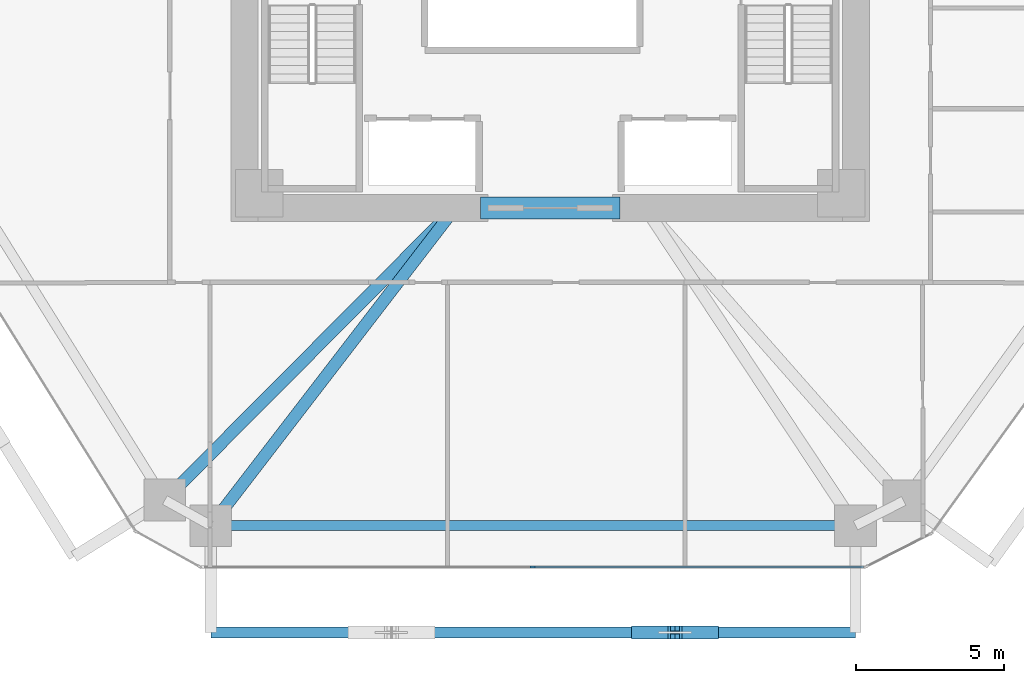
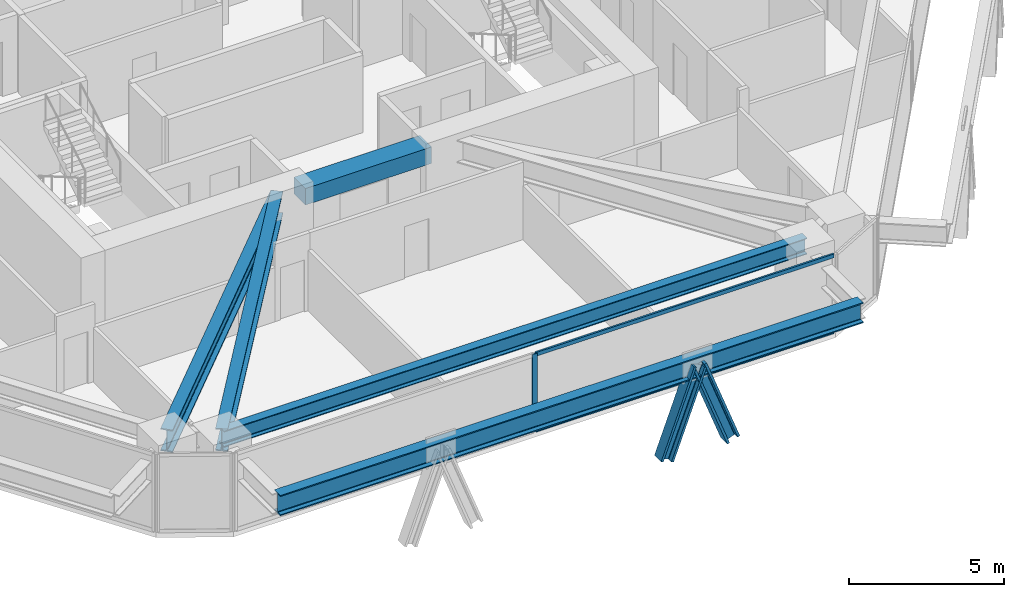
# One storey, part 3 of 17: 5 beams, 5 members, 1 element without a shape of its own.
"""IFC4 building model written with IfcOpenShell, lengths in metres."""

from ifc_helpers import new_model, si_unit, direction, frame, origin, origin_2d, place, context, subcontext, project, spatial, rectangle, i_section, extrude, source, transform, mapped, material, layer, layer_set, material_profile, profile_set, type_object, type_shapes, element, aggregate, save


model = new_model("IFC4")

# Units and contexts
model_context = context("Model", 3, precision=1e-05, world=origin(), true_north=direction((0.0, 1.0)))
body_context = subcontext(model_context, "Body", "Model", "MODEL_VIEW")
ifc_project = project(units=[si_unit("LENGTHUNIT", "METRE"), si_unit("AREAUNIT", "SQUARE_METRE"), si_unit("VOLUMEUNIT", "CUBIC_METRE"), si_unit("PLANEANGLEUNIT", "RADIAN"), si_unit("MASSUNIT", "GRAM", prefix="KILO")], contexts=[model_context])

# Site, building, storey
site_placement = place(None, origin())
site = spatial("IfcSite", under=ifc_project, at=site_placement, CompositionType="ELEMENT")
building_placement = place(site_placement, origin())
building = spatial("IfcBuilding", under=site, at=building_placement, Name="Durnholm Broadcast Tower", CompositionType="ELEMENT")
storey_placement = place(building_placement, frame((0.0, 0.0, 58.800048828125)))
storey = spatial("IfcBuildingStorey", under=building, at=storey_placement, Name="L14", CompositionType="ELEMENT", Elevation=58.800048828125)

# Beams
ifc_material_1 = material(Name="Concrete C70/85", Category="concrete")
ifc_material_profile_1 = material_profile(ifc_material_1, rectangle(XDim=0.75, YDim=0.64990234375, at=origin_2d()), Name="RC750X650")
ifc_profile_set_1 = profile_set([ifc_material_profile_1], Name="Concrete C70/85")
beam_type_1 = type_object("IfcBeamType", Name="BM-CB-RC650", PredefinedType="LINTEL", material=ifc_profile_set_1)
shared_shape_1 = source(origin(), body_context, "Body", "SweptSolid", [
    extrude(rectangle(XDim=0.75, YDim=0.64990234375, at=origin_2d()), origin(), (0.0, 0.0, 1.0), 4.7001953125),
])
type_shapes(beam_type_1, [shared_shape_1])
beam_1_placement = place(storey_placement, frame((-2.35009765625, -8.300048828125, 2.72998046875), z_axis=(1.0, 0.0, 0.0), x_axis=(0.0, 1.0, 0.0)))
element("IfcBeam", 1, at=beam_1_placement, inside=storey, type_object=beam_type_1, Name="L14 south core coupling lintel beam CB-S", PredefinedType="LINTEL", context=body_context, shape_type="MappedRepresentation", body=[
    mapped(shared_shape_1, transform((0.0, 0.0, 0.0), x_axis=(1.0, 0.0, 0.0), y_axis=(0.0, 1.0, 0.0), z_axis=(0.0, 0.0, 1.0), scale=1.0)),
])
ifc_material_2 = material(Name="Steel ASTM A992 Grade 50", Category="steel")
ifc_material_profile_2 = material_profile(ifc_material_2, i_section(OverallWidth=0.3291015625, OverallDepth=0.635009765625, WebThickness=0.017822265625, FlangeThickness=0.031005859375, FilletRadius=0.02783203125, at=origin_2d()), Name="W24X162")
ifc_profile_set_2 = profile_set([ifc_material_profile_2], Name="Steel ASTM A992 Grade 50")
beam_type_2 = type_object("IfcBeamType", Name="STL-SP-W24X162", PredefinedType="SPANDREL", material=ifc_profile_set_2)
shared_shape_2 = source(origin(), body_context, "Body", "SweptSolid", [
    extrude(i_section(OverallWidth=0.3291015625, OverallDepth=0.635009765625, WebThickness=0.017822265625, FlangeThickness=0.031005859375, FilletRadius=0.02783203125, at=origin_2d()), origin(), (0.0, 0.0, 1.0), 21.7138671875),
])
type_shapes(beam_type_2, [shared_shape_2])
beam_2_placement = place(storey_placement, frame((10.28271484375, -19.0, 2.7275390625), z_axis=(-1.0, 0.0, 0.0), x_axis=(0.0, -1.0, 0.0)))
element("IfcBeam", 2, at=beam_2_placement, inside=storey, type_object=beam_type_2, Name="L14 perimeter spandrel girder 11", PredefinedType="SPANDREL", context=body_context, shape_type="MappedRepresentation", body=[
    mapped(shared_shape_2, transform((0.0, 0.0, 0.0), x_axis=(1.0, 0.0, 0.0), y_axis=(0.0, 1.0, 0.0), z_axis=(0.0, 0.0, 1.0), scale=1.0)),
])
ifc_material_profile_3 = material_profile(ifc_material_2, i_section(OverallWidth=0.404052734375, OverallDepth=0.885009765625, WebThickness=0.0244140625, FlangeThickness=0.0439453125, FilletRadius=0.03564453125, at=origin_2d()), Name="W33X291")
ifc_profile_set_3 = profile_set([ifc_material_profile_3], Name="Steel ASTM A992 Grade 50")
beam_type_3 = type_object("IfcBeamType", Name="STL-GR-W33X291", PredefinedType="USERDEFINED", material=ifc_profile_set_3)
shared_shape_3 = source(origin(), body_context, "Body", "SweptSolid", [
    extrude(i_section(OverallWidth=0.404052734375, OverallDepth=0.885009765625, WebThickness=0.0244140625, FlangeThickness=0.0439453125, FilletRadius=0.03564453125, at=origin_2d()), origin(), (0.0, 0.0, 1.0), 13.874267578125),
])
beam_3_placement = place(storey_placement, frame((-3.199951171875, -8.300048828125, 2.6025390625), z_axis=(-0.705097917174, -0.709109954237, 0.0), x_axis=(0.709109954237, -0.705097917174, 0.0)))
element("IfcBeam", 3, at=beam_3_placement, inside=storey, type_object=beam_type_3, Name="L14 radial primary floor girder 01", ObjectType="GIRDER", PredefinedType="USERDEFINED", context=body_context, shape_type="MappedRepresentation", body=[
    mapped(shared_shape_3, transform((0.0, 0.0, 0.0), x_axis=(1.0, 0.0, 0.0), y_axis=(0.0, 1.0, 0.0), z_axis=(0.0, 0.0, 1.0), scale=1.0)),
])
shared_shape_4 = source(origin(), body_context, "Body", "SweptSolid", [
    extrude(i_section(OverallWidth=0.404052734375, OverallDepth=0.885009765625, WebThickness=0.0244140625, FlangeThickness=0.0439453125, FilletRadius=0.03564453125, at=origin_2d()), origin(), (0.0, 0.0, 1.0), 13.499755859375),
])
type_shapes(beam_type_3, [shared_shape_3, shared_shape_4])
beam_4_placement = place(storey_placement, frame((-3.199951171875, -8.300048828125, 2.6025390625), z_axis=(-0.609732610412, -0.79260718127, 0.0), x_axis=(0.79260718127, -0.609732610412, 0.0)))
element("IfcBeam", 4, at=beam_4_placement, inside=storey, type_object=beam_type_3, Name="L14 radial primary floor girder 12", ObjectType="GIRDER", PredefinedType="USERDEFINED", context=body_context, shape_type="MappedRepresentation", body=[
    mapped(shared_shape_4, transform((0.0, 0.0, 0.0), x_axis=(1.0, 0.0, 0.0), y_axis=(0.0, 1.0, 0.0), z_axis=(0.0, 0.0, 1.0), scale=1.0)),
])
ifc_material_profile_4 = material_profile(ifc_material_2, i_section(OverallWidth=0.385009765625, OverallDepth=0.802978515625, WebThickness=0.023681640625, FlangeThickness=0.0419921875, FilletRadius=0.032958984375, at=origin_2d()), Name="W30X261")
ifc_profile_set_4 = profile_set([ifc_material_profile_4], Name="Steel ASTM A992 Grade 50")
beam_type_4 = type_object("IfcBeamType", Name="BM-EXO-TIE", PredefinedType="USERDEFINED", material=ifc_profile_set_4)
shared_shape_5 = source(origin(), body_context, "Body", "SweptSolid", [
    extrude(i_section(OverallWidth=0.385009765625, OverallDepth=0.802978515625, WebThickness=0.023681640625, FlangeThickness=0.0419921875, FilletRadius=0.032958984375, at=origin_2d()), origin(), (0.0, 0.0, 1.0), 21.7138671875),
])
type_shapes(beam_type_4, [shared_shape_5])
beam_5_placement = place(storey_placement, frame((-11.43115234375, -22.60009765625, 2.30859375), z_axis=(1.0, 0.0, 0.0), x_axis=(0.0, 1.0, 0.0)))
element("IfcBeam", 5, at=beam_5_placement, inside=storey, type_object=beam_type_4, Name="L14 exoskeleton collector spandrel F1", PredefinedType="SPANDREL", context=body_context, shape_type="MappedRepresentation", body=[
    mapped(shared_shape_5, transform((0.0, 0.0, 0.0), x_axis=(1.0, 0.0, 0.0), y_axis=(0.0, 1.0, 0.0), z_axis=(0.0, 0.0, 1.0), scale=1.0)),
])

# Members
ifc_material_3 = material(Name="Steel ASTM A913 Grade 65", Category="steel")
ifc_material_profile_5 = material_profile(ifc_material_3, i_section(OverallWidth=0.43212890625, OverallDepth=0.497802734375, WebThickness=0.0556640625, FlangeThickness=0.0888671875, FilletRadius=0.030517578125, at=origin_2d()), Name="W14X500")
ifc_profile_set_5 = profile_set([ifc_material_profile_5], Name="Steel ASTM A913 Grade 65")
member_type_1 = type_object("IfcMemberType", Name="STL-DG-W14X500", PredefinedType="BRACE", material=ifc_profile_set_5)
shared_shape_6 = source(origin(), body_context, "Body", "SweptSolid", [
    extrude(i_section(OverallWidth=0.43212890625, OverallDepth=0.497802734375, WebThickness=0.0556640625, FlangeThickness=0.0888671875, FilletRadius=0.030517578125, at=origin_2d()), origin(), (0.0, 0.0, 1.0), 3.523193359375),
])
type_shapes(member_type_1, [shared_shape_6])
for number, where, z_axis, x_axis, name in (
    (6, (2.968994140625, -22.60009765625, -0.991455078125), (0.350219588454, 0.0, 0.936667625075), (0.0, 1.0, 0.0), "L14 stand-off diagrid brace F1.D2.1"),
    (7, (5.436767578125, -22.60009765625, -0.991455078125), (-0.350219588454, 0.0, 0.936667625075), (0.0, -1.0, 0.0), "L14 stand-off diagrid brace F1.D2.2"),
):
    element("IfcMember", number, at=place(storey_placement, frame(where, z_axis=z_axis, x_axis=x_axis)), inside=storey, type_object=member_type_1, Name=name, PredefinedType="BRACE", context=body_context, shape_type="MappedRepresentation", body=[
        mapped(shared_shape_6, transform((0.0, 0.0, 0.0), x_axis=(1.0, 0.0, 0.0), y_axis=(0.0, 1.0, 0.0), z_axis=(0.0, 0.0, 1.0), scale=1.0)),
    ])

# Curtain wall, members
ifc_material_4 = material(Name="Aluminium and Solar Control IGU", Category="aluminium")
ifc_layer = layer(ifc_material_4, 0.18994140625)
ifc_layer_set = layer_set([ifc_layer], Name="Aluminium and Solar Control IGU")
curtain_wall_type = type_object("IfcCurtainWallType", Name="CW-SYS-3", PredefinedType="NOTDEFINED", material=ifc_layer_set)
curtain_wall_placement = place(storey_placement, origin())
curtain_wall = element("IfcCurtainWall", 8, at=curtain_wall_placement, inside=storey, type_object=curtain_wall_type, Name="L14 curtain wall CW-Z12-VIS CW-L14-F10", PredefinedType="NOTDEFINED")
ifc_material_5 = material(Name="Aluminium 6063-T6", Category="aluminium")
ifc_material_profile_6 = material_profile(ifc_material_5, rectangle(XDim=0.070068359375, YDim=0.18994140625, at=origin_2d()), Name="CWM70X190")
ifc_profile_set_6 = profile_set([ifc_material_profile_6], Name="Aluminium 6063-T6")
member_type_2 = type_object("IfcMemberType", Name="CW-SYS-3-MUL", PredefinedType="MULLION", material=ifc_profile_set_6)
shared_shape_7 = source(origin(), body_context, "Body", "SweptSolid", [
    extrude(rectangle(XDim=0.070068359375, YDim=0.18994140625, at=origin_2d()), origin(), (0.0, 0.0, 1.0), 3.06005859375),
])
type_shapes(member_type_2, [shared_shape_7])
member_1_placement = place(storey_placement, frame((-0.5869140625, -20.39990234375, 0.0), z_axis=(0.0, 0.0, 1.0), x_axis=(0.0, -1.0, 0.0)))
member_1 = element("IfcMember", 9, at=member_1_placement, type_object=member_type_2, Name="CW-Z12-VIS mullion 2", PredefinedType="MULLION", context=body_context, shape_type="MappedRepresentation", body=[
    mapped(shared_shape_7, transform((0.0, 0.0, 0.0), x_axis=(1.0, 0.0, 0.0), y_axis=(0.0, 1.0, 0.0), z_axis=(0.0, 0.0, 1.0), scale=1.0)),
])
ifc_material_profile_7 = material_profile(ifc_material_5, rectangle(XDim=0.070068359375, YDim=0.14990234375, at=origin_2d()), Name="CWT70X150")
ifc_profile_set_7 = profile_set([ifc_material_profile_7], Name="Aluminium 6063-T6")
member_type_3 = type_object("IfcMemberType", Name="CW-SYS-3-TRN", PredefinedType="USERDEFINED", material=ifc_profile_set_7)
shared_shape_8 = source(origin(), body_context, "Body", "SweptSolid", [
    extrude(rectangle(XDim=0.070068359375, YDim=0.14990234375, at=origin_2d()), origin(), (0.0, 0.0, 1.0), 11.10205078125),
])
type_shapes(member_type_3, [shared_shape_8])
member_2_placement = place(storey_placement, frame((10.55029296875, -20.39990234375, 0.034912109375), z_axis=(-1.0, 0.0, 0.0), x_axis=(0.0, -1.0, 0.0)))
member_2 = element("IfcMember", 10, at=member_2_placement, type_object=member_type_3, Name="CW-Z12-VIS transom 1.1", ObjectType="TRANSOM", PredefinedType="USERDEFINED", context=body_context, shape_type="MappedRepresentation", body=[
    mapped(shared_shape_8, transform((0.0, 0.0, 0.0), x_axis=(1.0, 0.0, 0.0), y_axis=(0.0, 1.0, 0.0), z_axis=(0.0, 0.0, 1.0), scale=1.0)),
])
member_3_placement = place(storey_placement, frame((10.55029296875, -20.39990234375, 3.02490234375), z_axis=(-1.0, 0.0, 0.0), x_axis=(0.0, -1.0, 0.0)))
member_3 = element("IfcMember", 11, at=member_3_placement, type_object=member_type_3, Name="CW-Z12-VIS transom 1.2", ObjectType="TRANSOM", PredefinedType="USERDEFINED", context=body_context, shape_type="MappedRepresentation", body=[
    mapped(shared_shape_8, transform((0.0, 0.0, 0.0), x_axis=(1.0, 0.0, 0.0), y_axis=(0.0, 1.0, 0.0), z_axis=(0.0, 0.0, 1.0), scale=1.0)),
])
aggregate(curtain_wall, [member_1, member_2, member_3])

save(model, "model.ifc")
